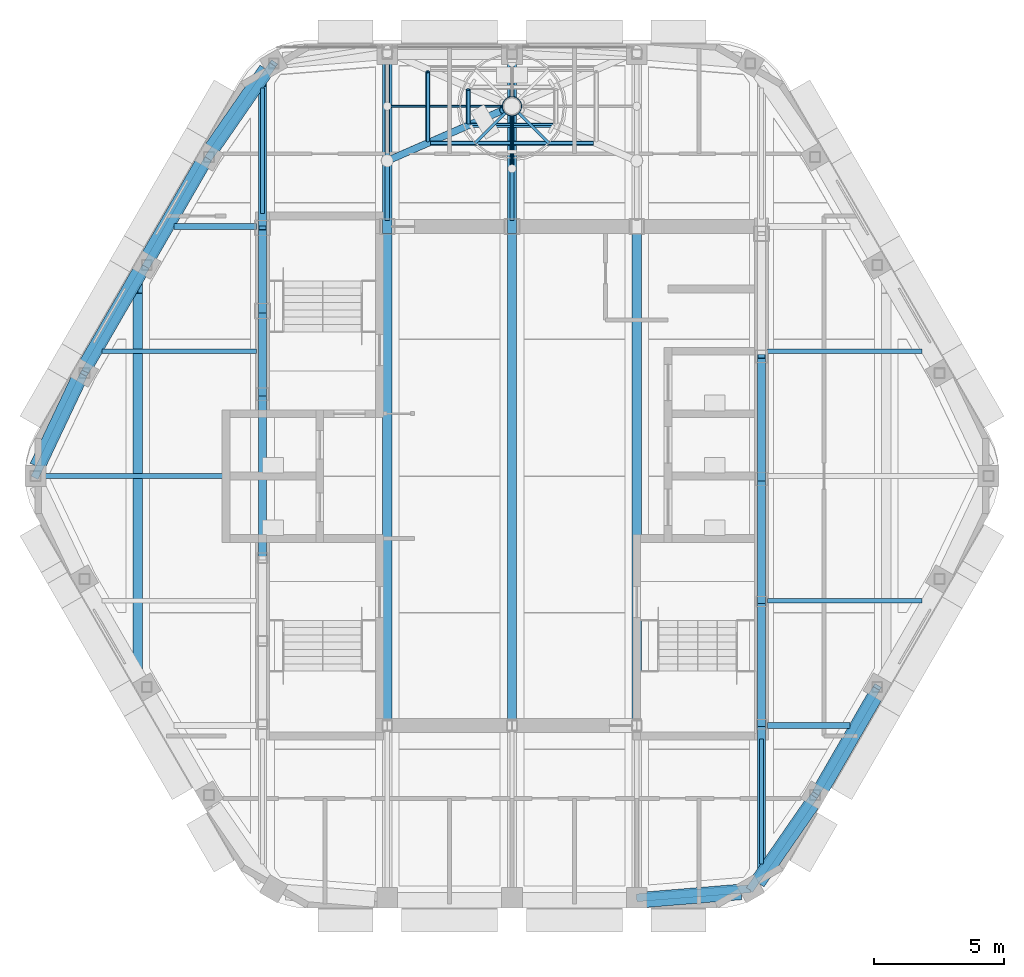
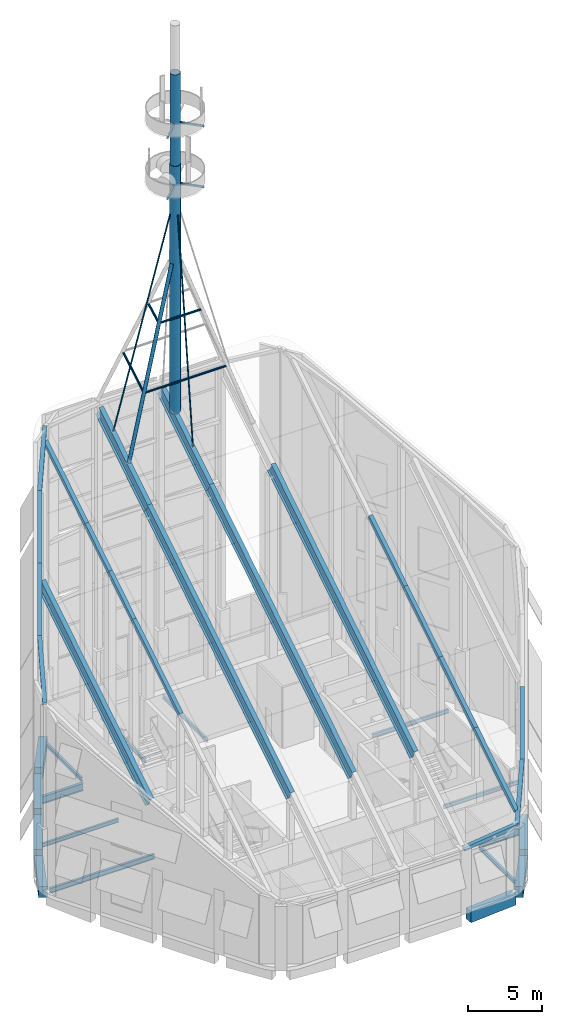
# One storey, part 2 of 25: 34 members, 17 beams.
"""IFC4 building model written with IfcOpenShell, lengths in metres."""

from ifc_helpers import new_model, si_unit, direction, frame, origin, origin_2d, place, context, subcontext, project, spatial, rectangle, hollow_rectangle, hollow_circle, i_section, extrude, material, material_profile, profile_set, type_object, element, save


model = new_model("IFC4")

# Units and contexts
model_context = context("Model", 3, precision=1e-05, world=origin(), true_north=direction((0.0, 1.0)))
body_context = subcontext(model_context, "Body", "Model", "MODEL_VIEW")
ifc_project = project(units=[si_unit("LENGTHUNIT", "METRE"), si_unit("AREAUNIT", "SQUARE_METRE"), si_unit("VOLUMEUNIT", "CUBIC_METRE"), si_unit("PLANEANGLEUNIT", "RADIAN"), si_unit("MASSUNIT", "GRAM", prefix="KILO")], contexts=[model_context])

# Site, building, storey
site_placement = place(None, origin())
site = spatial("IfcSite", under=ifc_project, at=site_placement, CompositionType="ELEMENT")
building_placement = place(site_placement, origin())
building = spatial("IfcBuilding", under=site, at=building_placement, Name="Kolab Exchange Tower", CompositionType="ELEMENT")
storey_placement = place(building_placement, frame((0.0, 0.0, 301.89990234375)))
storey = spatial("IfcBuildingStorey", under=building, at=storey_placement, Name="L68", CompositionType="ELEMENT", Elevation=301.89990234375)

# Members
ifc_material_1 = material(Name="Steel S355", Category="steel")
ifc_material_profile_1 = material_profile(ifc_material_1, hollow_circle(Radius=0.35546875, WallThickness=0.02490234375, at=origin_2d()), Name="PIPE711X25")
ifc_profile_set_1 = profile_set([ifc_material_profile_1], Name="Steel S355")
member_type_1 = type_object("IfcMemberType", Name="ANTENNA MAST PIPE 711 X 25", PredefinedType="USERDEFINED", material=ifc_profile_set_1)
member_1_placement = place(storey_placement, frame((0.0, 14.227783203125, 44.28076171875), z_axis=(0.0, 0.0, 1.0), x_axis=(1.0, 0.0, 0.0)))
element("IfcMember", 1, at=member_1_placement, inside=storey, type_object=member_type_1, Name="Antenna mast", ObjectType="ANTENNA MAST", PredefinedType="USERDEFINED", context=body_context, shape_type="SweptSolid", body=[
    extrude(hollow_circle(Radius=0.35546875, WallThickness=0.02490234375, at=origin_2d()), origin(), (0.0, 0.0, 1.0), 7.5),
])
ifc_material_profile_2 = material_profile(ifc_material_1, hollow_circle(Radius=0.381103515625, WallThickness=0.031982421875, at=origin_2d()), Name="PIPE762X32")
ifc_profile_set_2 = profile_set([ifc_material_profile_2], Name="Steel S355")
member_type_2 = type_object("IfcMemberType", Name="ANTENNA MAST PIPE 762 X 32", PredefinedType="USERDEFINED", material=ifc_profile_set_2)
member_2_placement = place(storey_placement, frame((0.0, 14.227783203125, 23.955810546875), z_axis=(0.0, 0.0, 1.0), x_axis=(1.0, 0.0, 0.0)))
element("IfcMember", 2, at=member_2_placement, inside=storey, type_object=member_type_2, Name="Antenna mast", ObjectType="ANTENNA MAST", PredefinedType="USERDEFINED", context=body_context, shape_type="SweptSolid", body=[
    extrude(hollow_circle(Radius=0.381103515625, WallThickness=0.031982421875, at=origin_2d()), origin(), (0.0, 0.0, 1.0), 20.324951171875),
])
ifc_material_profile_3 = material_profile(ifc_material_1, hollow_rectangle(XDim=0.300048828125, YDim=0.300048828125, WallThickness=0.01611328125, at=origin_2d()), Name="HSS300X300X16")
ifc_profile_set_3 = profile_set([ifc_material_profile_3], Name="Steel S355")
member_type_3 = type_object("IfcMemberType", Name="CROWN RAFTER HSS300X300X16", PredefinedType="RAFTER", material=ifc_profile_set_3)
member_3_placement = place(storey_placement, frame((-9.60009765625, -3.14990234375, 12.9501953125), z_axis=(0.0, 0.848035228337, 0.529939856493), x_axis=(-1.0, 0.0, 0.0)))
element("IfcMember", 3, at=member_3_placement, inside=storey, type_object=member_type_3, Name="mem/L68/crown/rafter-1-4", PredefinedType="RAFTER", context=body_context, shape_type="SweptSolid", body=[
    extrude(hollow_rectangle(XDim=0.300048828125, YDim=0.300048828125, WallThickness=0.01611328125, at=origin_2d()), origin(), (0.0, 0.0, 1.0), 7.4287109375),
])
member_4_placement = place(storey_placement, frame((-9.60009765625, 3.14990234375, 16.886962890625), z_axis=(0.0, 0.848070991234, 0.529882622689), x_axis=(-1.0, 0.0, 0.0)))
element("IfcMember", 4, at=member_4_placement, inside=storey, type_object=member_type_3, Name="mem/L68/crown/rafter-1-5", PredefinedType="RAFTER", context=body_context, shape_type="SweptSolid", body=[
    extrude(hollow_rectangle(XDim=0.300048828125, YDim=0.300048828125, WallThickness=0.01611328125, at=origin_2d()), origin(), (0.0, 0.0, 1.0), 3.7734375),
])
member_5_placement = place(storey_placement, frame((-9.60009765625, 6.35009765625, 18.886474609375), z_axis=(0.0, 0.848052823913, 0.529911698165), x_axis=(-1.0, 0.0, 0.0)))
element("IfcMember", 5, at=member_5_placement, inside=storey, type_object=member_type_3, Name="mem/L68/crown/rafter-1-6", PredefinedType="RAFTER", context=body_context, shape_type="SweptSolid", body=[
    extrude(hollow_rectangle(XDim=0.300048828125, YDim=0.300048828125, WallThickness=0.01611328125, at=origin_2d()), origin(), (0.0, 0.0, 1.0), 3.773193359375),
])
for number, where, z_axis, x_axis, name in (
    (6, (-9.60009765625, 9.550048828125, 20.885986328125), (0.0, 0.848042647464, 0.529927983864), (-1.0, 0.0, 0.0), "mem/L68/crown/rafter-1-7"),
    (7, (9.60009765625, -15.05810546875, 5.50927734375), (0.0, 0.848042647464, 0.529927983864), (-1.0, 0.0, 0.0), "mem/L68/crown/rafter-5-1"),
):
    element("IfcMember", number, at=place(storey_placement, frame(where, z_axis=z_axis, x_axis=x_axis)), inside=storey, type_object=member_type_3, Name=name, PredefinedType="RAFTER", context=body_context, shape_type="SweptSolid", body=[
        extrude(hollow_rectangle(XDim=0.300048828125, YDim=0.300048828125, WallThickness=0.01611328125, at=origin_2d()), origin(), (0.0, 0.0, 1.0), 6.4951171875),
    ])
for number, where, z_axis, x_axis, name in (
    (8, (9.60009765625, -9.550048828125, 8.951171875), (0.0, 0.848057458918, 0.529904280389), (-1.0, 0.0, 0.0), "mem/L68/crown/rafter-5-2"),
    (9, (9.60009765625, -4.831298828125, 11.899658203125), (0.0, 0.848037740871, 0.529935835794), (-1.0, 0.0, 0.0), "mem/L68/crown/rafter-5-3"),
    (10, (9.60009765625, -0.112548828125, 14.848388671875), (0.0, 0.848057458918, 0.529904280389), (-1.0, 0.0, 0.0), "mem/L68/crown/rafter-5-4"),
):
    element("IfcMember", number, at=place(storey_placement, frame(where, z_axis=z_axis, x_axis=x_axis)), inside=storey, type_object=member_type_3, Name=name, PredefinedType="RAFTER", context=body_context, shape_type="SweptSolid", body=[
        extrude(hollow_rectangle(XDim=0.300048828125, YDim=0.300048828125, WallThickness=0.01611328125, at=origin_2d()), origin(), (0.0, 0.0, 1.0), 5.564208984375),
    ])
ifc_material_profile_4 = material_profile(ifc_material_1, i_section(OverallWidth=0.35009765625, OverallDepth=1.0, WebThickness=0.02001953125, FlangeThickness=0.035888671875, at=origin_2d()), Name="PG1000X350")
ifc_profile_set_4 = profile_set([ifc_material_profile_4], Name="Steel S355")
member_type_4 = type_object("IfcMemberType", Name="CROWN RAFTER PG1000X350", PredefinedType="RAFTER", material=ifc_profile_set_4)
member_6_placement = place(storey_placement, frame((-14.39990234375, -7.293701171875, 9.947998046875), z_axis=(0.0, 0.84804135911, 0.529930045608), x_axis=(-1.0, 0.0, 0.0)))
element("IfcMember", 11, at=member_6_placement, inside=storey, type_object=member_type_4, Name="mem/L68/crown/rafter-0", PredefinedType="RAFTER", context=body_context, shape_type="SweptSolid", body=[
    extrude(i_section(OverallWidth=0.35009765625, OverallDepth=1.0, WebThickness=0.02001953125, FlangeThickness=0.035888671875, at=origin_2d()), origin(), (0.0, 0.0, 1.0), 17.201171875),
])
member_7_placement = place(storey_placement, frame((-4.800048828125, -9.60009765625, 8.507080078125), z_axis=(0.0, 0.84804918802, 0.529917516882), x_axis=(-1.0, 0.0, 0.0)))
element("IfcMember", 12, at=member_7_placement, inside=storey, type_object=member_type_4, Name="mem/L68/crown/rafter-2-2", PredefinedType="RAFTER", context=body_context, shape_type="SweptSolid", body=[
    extrude(i_section(OverallWidth=0.35009765625, OverallDepth=1.0, WebThickness=0.02001953125, FlangeThickness=0.035888671875, at=origin_2d()), origin(), (0.0, 0.0, 1.0), 22.640380859375),
])
member_8_placement = place(storey_placement, frame((-4.800048828125, 9.60009765625, 20.504638671875), z_axis=(0.0, 0.848037566543, 0.529936114764), x_axis=(-1.0, 0.0, 0.0)))
element("IfcMember", 13, at=member_8_placement, inside=storey, type_object=member_type_4, Name="mem/L68/crown/rafter-2-3", PredefinedType="RAFTER", context=body_context, shape_type="SweptSolid", body=[
    extrude(i_section(OverallWidth=0.35009765625, OverallDepth=1.0, WebThickness=0.02001953125, FlangeThickness=0.035888671875, at=origin_2d()), origin(), (0.0, 0.0, 1.0), 7.684814453125),
])
member_9_placement = place(storey_placement, frame((0.0, -9.60009765625, 8.507080078125), z_axis=(0.0, 0.84804918802, 0.529917516882), x_axis=(-1.0, 0.0, 0.0)))
element("IfcMember", 14, at=member_9_placement, inside=storey, type_object=member_type_4, Name="mem/L68/crown/rafter-3-2", PredefinedType="RAFTER", context=body_context, shape_type="SweptSolid", body=[
    extrude(i_section(OverallWidth=0.35009765625, OverallDepth=1.0, WebThickness=0.02001953125, FlangeThickness=0.035888671875, at=origin_2d()), origin(), (0.0, 0.0, 1.0), 22.640380859375),
])
member_10_placement = place(storey_placement, frame((0.0, 9.60009765625, 20.504638671875), z_axis=(0.0, 0.848041132606, 0.529930408081), x_axis=(-1.0, 0.0, 0.0)))
element("IfcMember", 15, at=member_10_placement, inside=storey, type_object=member_type_4, Name="mem/L68/crown/rafter-3-3", PredefinedType="RAFTER", context=body_context, shape_type="SweptSolid", body=[
    extrude(i_section(OverallWidth=0.35009765625, OverallDepth=1.0, WebThickness=0.02001953125, FlangeThickness=0.035888671875, at=origin_2d()), origin(), (0.0, 0.0, 1.0), 7.685546875),
])
member_11_placement = place(storey_placement, frame((4.800048828125, -9.60009765625, 8.507080078125), z_axis=(0.0, 0.84804918802, 0.529917516882), x_axis=(-1.0, 0.0, 0.0)))
element("IfcMember", 16, at=member_11_placement, inside=storey, type_object=member_type_4, Name="mem/L68/crown/rafter-4-2", PredefinedType="RAFTER", context=body_context, shape_type="SweptSolid", body=[
    extrude(i_section(OverallWidth=0.35009765625, OverallDepth=1.0, WebThickness=0.02001953125, FlangeThickness=0.035888671875, at=origin_2d()), origin(), (0.0, 0.0, 1.0), 22.640380859375),
])
ifc_material_profile_5 = material_profile(ifc_material_1, hollow_rectangle(XDim=0.300048828125, YDim=0.300048828125, WallThickness=0.01611328125, at=origin_2d()), Name="HSS300X300X16")
ifc_profile_set_5 = profile_set([ifc_material_profile_5], Name="Steel S355")
member_type_5 = type_object("IfcMemberType", Name="CROWN RING HSS300X300X16", PredefinedType="CHORD", material=ifc_profile_set_5)
member_12_placement = place(storey_placement, frame((14.0537109375, -8.11376953125, 9.875244140625), z_axis=(-0.439763172154, -0.761656752341, -0.475906864871), x_axis=(0.866015339567, -0.500017431331, 0.0)))
element("IfcMember", 17, at=member_12_placement, inside=storey, type_object=member_type_5, Name="mem/L68/crown/ring-F3-03", PredefinedType="CHORD", context=body_context, shape_type="SweptSolid", body=[
    extrude(hollow_rectangle(XDim=0.300048828125, YDim=0.300048828125, WallThickness=0.01611328125, at=origin_2d()), origin(), (0.0, 0.0, 1.0), 5.457763671875),
])
member_13_placement = place(storey_placement, frame((11.653564453125, -12.270751953125, 7.27783203125), z_axis=(-0.504384324432, -0.732276269465, -0.457567392245), x_axis=(0.823545775966, -0.567249817002, 0.0)))
element("IfcMember", 18, at=member_13_placement, inside=storey, type_object=member_type_5, Name="mem/L68/crown/ring-F3-04", PredefinedType="CHORD", context=body_context, shape_type="SweptSolid", body=[
    extrude(hollow_rectangle(XDim=0.300048828125, YDim=0.300048828125, WallThickness=0.01611328125, at=origin_2d()), origin(), (0.0, 0.0, 1.0), 4.927978515625),
])
member_14_placement = place(storey_placement, frame((9.16796875, -15.87939453125, 5.02294921875), z_axis=(-0.995605365729, -0.079410254144, -0.049638364889), x_axis=(0.079508267441, -0.99683420658, 0.0)))
element("IfcMember", 19, at=member_14_placement, inside=storey, type_object=member_type_5, Name="mem/L68/crown/ring-F4-01", PredefinedType="CHORD", context=body_context, shape_type="SweptSolid", body=[
    extrude(hollow_rectangle(XDim=0.300048828125, YDim=0.300048828125, WallThickness=0.01611328125, at=origin_2d()), origin(), (0.0, 0.0, 1.0), 4.38720703125),
])
member_15_placement = place(storey_placement, frame((-18.3359375, 0.0, 14.9453125), z_axis=(0.374127579536, 0.786444316672, 0.491460976075), x_axis=(-0.903025238378, 0.429587498482, 0.0)))
element("IfcMember", 20, at=member_15_placement, inside=storey, type_object=member_type_5, Name="mem/L68/crown/ring-F6-01", PredefinedType="CHORD", context=body_context, shape_type="SweptSolid", body=[
    extrude(hollow_rectangle(XDim=0.300048828125, YDim=0.300048828125, WallThickness=0.01611328125, at=origin_2d()), origin(), (0.0, 0.0, 1.0), 5.03125),
])
member_16_placement = place(storey_placement, frame((-16.45361328125, 3.956787109375, 17.41796875), z_axis=(0.439727089648, 0.761671735039, 0.475916226527), x_axis=(-0.866037363387, 0.499979284789, 0.0)))
element("IfcMember", 21, at=member_16_placement, inside=storey, type_object=member_type_5, Name="mem/L68/crown/ring-F6-02", PredefinedType="CHORD", context=body_context, shape_type="SweptSolid", body=[
    extrude(hollow_rectangle(XDim=0.300048828125, YDim=0.300048828125, WallThickness=0.01611328125, at=origin_2d()), origin(), (0.0, 0.0, 1.0), 5.457763671875),
])
member_17_placement = place(storey_placement, frame((-14.0537109375, 8.11376953125, 20.015380859375), z_axis=(0.439753810156, 0.761640537639, 0.475941464761), x_axis=(-0.866015339567, 0.500017431331, 0.0)))
element("IfcMember", 22, at=member_17_placement, inside=storey, type_object=member_type_5, Name="mem/L68/crown/ring-F6-03", PredefinedType="CHORD", context=body_context, shape_type="SweptSolid", body=[
    extrude(hollow_rectangle(XDim=0.300048828125, YDim=0.300048828125, WallThickness=0.01611328125, at=origin_2d()), origin(), (0.0, 0.0, 1.0), 5.4580078125),
])
member_18_placement = place(storey_placement, frame((-11.653564453125, 12.270751953125, 22.613037109375), z_axis=(0.504384324432, 0.732276269465, 0.457567392245), x_axis=(-0.823545775966, 0.567249817002, 0.0)))
element("IfcMember", 23, at=member_18_placement, inside=storey, type_object=member_type_5, Name="mem/L68/crown/ring-F6-04", PredefinedType="CHORD", context=body_context, shape_type="SweptSolid", body=[
    extrude(hollow_rectangle(XDim=0.300048828125, YDim=0.300048828125, WallThickness=0.01611328125, at=origin_2d()), origin(), (0.0, 0.0, 1.0), 4.927978515625),
])

# Beams
ifc_material_profile_6 = material_profile(ifc_material_1, i_section(OverallWidth=0.1650390625, OverallDepth=0.31005859375, WebThickness=0.005859375, FlangeThickness=0.009765625, at=origin_2d()), Name="W310X39")
ifc_profile_set_6 = profile_set([ifc_material_profile_6], Name="Steel S355")
beam_type_1 = type_object("IfcBeamType", Name="FLOOR BEAM W310X39", PredefinedType="BEAM", material=ifc_profile_set_6)
beam_1_placement = place(storey_placement, frame((-15.77587890625, 4.800048828125, -0.454833984375), z_axis=(1.0, 0.0, 0.0), x_axis=(0.0, 1.0, 0.0)))
element("IfcBeam", 24, at=beam_1_placement, inside=storey, type_object=beam_type_1, Name="beam/L68/fr/002", PredefinedType="BEAM", context=body_context, shape_type="SweptSolid", body=[
    extrude(i_section(OverallWidth=0.1650390625, OverallDepth=0.31005859375, WebThickness=0.005859375, FlangeThickness=0.009765625, at=origin_2d()), origin(), (0.0, 0.0, 1.0), 5.94091796875),
])
beam_2_placement = place(storey_placement, frame((-9.60009765625, 10.110107421875, -0.454833984375), z_axis=(0.0, 1.0, 0.0), x_axis=(-1.0, 0.0, 0.0)))
element("IfcBeam", 25, at=beam_2_placement, inside=storey, type_object=beam_type_1, Name="beam/L68/fr/004", PredefinedType="BEAM", context=body_context, shape_type="SweptSolid", body=[
    extrude(i_section(OverallWidth=0.1650390625, OverallDepth=0.31005859375, WebThickness=0.005859375, FlangeThickness=0.009765625, at=origin_2d()), origin(), (0.0, 0.0, 1.0), 4.81640625),
])
for number, where, z_axis, x_axis, name in (
    (26, (-4.800048828125, 9.8349609375, -0.454833984375), (0.0, 1.0, 0.0), (-1.0, 0.0, 0.0), "beam/L68/fr/006"),
    (27, (0.0, 9.8349609375, -0.454833984375), (0.0, 1.0, 0.0), (-1.0, 0.0, 0.0), "beam/L68/fr/008"),
):
    element("IfcBeam", number, at=place(storey_placement, frame(where, z_axis=z_axis, x_axis=x_axis)), inside=storey, type_object=beam_type_1, Name=name, PredefinedType="BEAM", context=body_context, shape_type="SweptSolid", body=[
        extrude(i_section(OverallWidth=0.1650390625, OverallDepth=0.31005859375, WebThickness=0.005859375, FlangeThickness=0.009765625, at=origin_2d()), origin(), (0.0, 0.0, 1.0), 6.03271484375),
    ])
beam_3_placement = place(storey_placement, frame((9.60009765625, -14.926513671875, -0.454833984375), z_axis=(0.0, 1.0, 0.0), x_axis=(-1.0, 0.0, 0.0)))
element("IfcBeam", 28, at=beam_3_placement, inside=storey, type_object=beam_type_1, Name="beam/L68/fr/011", PredefinedType="BEAM", context=body_context, shape_type="SweptSolid", body=[
    extrude(i_section(OverallWidth=0.1650390625, OverallDepth=0.31005859375, WebThickness=0.005859375, FlangeThickness=0.009765625, at=origin_2d()), origin(), (0.0, 0.0, 1.0), 4.81640625),
])
for number, where, z_axis, x_axis, name in (
    (29, (9.8349609375, -4.800048828125, -0.454833984375), (1.0, 0.0, 0.0), (0.0, 1.0, 0.0), "beam/L68/fr/013"),
    (30, (9.8349609375, 4.800048828125, -0.454833984375), (1.0, 0.0, 0.0), (0.0, 1.0, 0.0), "beam/L68/fr/015"),
):
    element("IfcBeam", number, at=place(storey_placement, frame(where, z_axis=z_axis, x_axis=x_axis)), inside=storey, type_object=beam_type_1, Name=name, PredefinedType="BEAM", context=body_context, shape_type="SweptSolid", body=[
        extrude(i_section(OverallWidth=0.1650390625, OverallDepth=0.31005859375, WebThickness=0.005859375, FlangeThickness=0.009765625, at=origin_2d()), origin(), (0.0, 0.0, 1.0), 5.94091796875),
    ])
ifc_material_profile_7 = material_profile(ifc_material_1, i_section(OverallWidth=0.177978515625, OverallDepth=0.406982421875, WebThickness=0.0078125, FlangeThickness=0.0126953125, at=origin_2d()), Name="W410X60")
ifc_profile_set_7 = profile_set([ifc_material_profile_7], Name="Steel S355")
beam_type_2 = type_object("IfcBeamType", Name="FLOOR BEAM W410X60", PredefinedType="BEAM", material=ifc_profile_set_7)
beam_4_placement = place(storey_placement, frame((-17.975830078125, 0.0, -0.50341796875), z_axis=(1.0, 0.0, 0.0), x_axis=(0.0, 1.0, 0.0)))
element("IfcBeam", 31, at=beam_4_placement, inside=storey, type_object=beam_type_2, Name="beam/L68/fr/000", PredefinedType="BEAM", context=body_context, shape_type="SweptSolid", body=[
    extrude(i_section(OverallWidth=0.177978515625, OverallDepth=0.406982421875, WebThickness=0.0078125, FlangeThickness=0.0126953125, at=origin_2d()), origin(), (0.0, 0.0, 1.0), 8.140869140625),
])
ifc_material_profile_8 = material_profile(ifc_material_1, i_section(OverallWidth=0.22802734375, OverallDepth=0.60791015625, WebThickness=0.01123046875, FlangeThickness=0.017333984375, at=origin_2d()), Name="W610X113")
ifc_profile_set_8 = profile_set([ifc_material_profile_8], Name="Steel S355")
beam_type_3 = type_object("IfcBeamType", Name="FLOOR GIRDER W610X113", PredefinedType="BEAM", material=ifc_profile_set_8)
for number, where, z_axis, x_axis, name in (
    (32, (-13.004638671875, 9.60009765625, -0.60400390625), (1.0, 0.0, 0.0), (0.0, 1.0, 0.0), "beam/L68/gd/001"),
    (33, (9.8349609375, -9.60009765625, -0.60400390625), (1.0, 0.0, 0.0), (0.0, 1.0, 0.0), "beam/L68/gd/002"),
):
    element("IfcBeam", number, at=place(storey_placement, frame(where, z_axis=z_axis, x_axis=x_axis)), inside=storey, type_object=beam_type_3, Name=name, PredefinedType="BEAM", context=body_context, shape_type="SweptSolid", body=[
        extrude(i_section(OverallWidth=0.22802734375, OverallDepth=0.60791015625, WebThickness=0.01123046875, FlangeThickness=0.017333984375, at=origin_2d()), origin(), (0.0, 0.0, 1.0), 3.169677734375),
    ])

# Members
ifc_material_profile_9 = material_profile(ifc_material_1, hollow_circle(Radius=0.083984375, WallThickness=0.010009765625, at=origin_2d()), Name="CHS 168X10")
ifc_profile_set_9 = profile_set([ifc_material_profile_9], Name="Steel S355")
member_type_6 = type_object("IfcMemberType", Name="MAST BRACING CHS 168 X 10", PredefinedType="STRUT", material=ifc_profile_set_9)
member_19_placement = place(storey_placement, frame((-3.135986328125, 12.80908203125, 27.41650390625), z_axis=(1.0, 0.0, 0.0), x_axis=(0.0, 1.0, 0.0)))
element("IfcMember", 34, at=member_19_placement, inside=storey, type_object=member_type_6, Name="Mast quadripod bracing", PredefinedType="STRUT", context=body_context, shape_type="SweptSolid", body=[
    extrude(hollow_circle(Radius=0.083984375, WallThickness=0.010009765625, at=origin_2d()), origin(), (0.0, 0.0, 1.0), 6.27197265625),
])
member_20_placement = place(storey_placement, frame((-3.2421875, 12.900390625, 27.47119140625), z_axis=(0.0, 0.856950069904, 0.51539943509), x_axis=(-1.0, 0.0, 0.0)))
element("IfcMember", 35, at=member_20_placement, inside=storey, type_object=member_type_6, Name="Mast quadripod bracing", PredefinedType="STRUT", context=body_context, shape_type="SweptSolid", body=[
    extrude(hollow_circle(Radius=0.083984375, WallThickness=0.010009765625, at=origin_2d()), origin(), (0.0, 0.0, 1.0), 3.097900390625),
])
member_21_placement = place(storey_placement, frame((-1.578125, 13.49072265625, 32.189697265625), z_axis=(1.0, 0.0, 0.0), x_axis=(0.0, 1.0, 0.0)))
element("IfcMember", 36, at=member_21_placement, inside=storey, type_object=member_type_6, Name="Mast quadripod bracing", PredefinedType="STRUT", context=body_context, shape_type="SweptSolid", body=[
    extrude(hollow_circle(Radius=0.083984375, WallThickness=0.010009765625, at=origin_2d()), origin(), (0.0, 0.0, 1.0), 3.15625),
])
member_22_placement = place(storey_placement, frame((-1.684326171875, 13.58447265625, 32.239501953125), z_axis=(0.0, 0.881944865518, 0.471352579484), x_axis=(-1.0, 0.0, 0.0)))
element("IfcMember", 37, at=member_22_placement, inside=storey, type_object=member_type_6, Name="Mast quadripod bracing", PredefinedType="STRUT", context=body_context, shape_type="SweptSolid", body=[
    extrude(hollow_circle(Radius=0.083984375, WallThickness=0.010009765625, at=origin_2d()), origin(), (0.0, 0.0, 1.0), 1.45849609375),
])
ifc_material_profile_10 = material_profile(ifc_material_1, hollow_circle(Radius=0.136474609375, WallThickness=0.01611328125, at=origin_2d()), Name="CHS 273X16")
ifc_profile_set_10 = profile_set([ifc_material_profile_10], Name="Steel S355")
member_type_7 = type_object("IfcMemberType", Name="MAST LEG CHS 273 X 16", PredefinedType="BRACE", material=ifc_profile_set_10)
member_23_placement = place(storey_placement, frame((-4.800048828125, 12.127685546875, 22.643798828125), z_axis=(0.307458604472, 0.134512085419, 0.942006213043), x_axis=(-0.400816197806, 0.916158488241, 0.0)))
element("IfcMember", 38, at=member_23_placement, inside=storey, type_object=member_type_7, Name="Mast quadripod leg", PredefinedType="BRACE", context=body_context, shape_type="SweptSolid", body=[
    extrude(hollow_circle(Radius=0.136474609375, WallThickness=0.01611328125, at=origin_2d()), origin(), (0.0, 0.0, 1.0), 14.4765625),
])
ifc_material_profile_11 = material_profile(ifc_material_1, hollow_rectangle(XDim=0.10009765625, YDim=0.14990234375, WallThickness=0.008056640625, at=origin_2d()), Name="RHS150X100X8")
ifc_profile_set_11 = profile_set([ifc_material_profile_11], Name="Steel S355")
member_type_8 = type_object("IfcMemberType", Name="MAST PLATFORM ARM RHS 150 X 100 X 8", PredefinedType="MEMBER", material=ifc_profile_set_11)
for number, where, z_axis, x_axis, name in (
    (39, (-0.267333984375, 13.96044921875, 42.706298828125), (-0.707106781187, -0.707106781187, 0.0), (0.707106781187, -0.707106781187, 0.0), "Mast platform arm"),
    (40, (0.267333984375, 13.96044921875, 42.706298828125), (0.707106781187, -0.707106781187, 0.0), (0.707106781187, 0.707106781187, 0.0), "Mast platform arm"),
):
    element("IfcMember", number, at=place(storey_placement, frame(where, z_axis=z_axis, x_axis=x_axis)), inside=storey, type_object=member_type_8, Name=name, PredefinedType="MEMBER", context=body_context, shape_type="SweptSolid", body=[
        extrude(hollow_rectangle(XDim=0.10009765625, YDim=0.14990234375, WallThickness=0.008056640625, at=origin_2d()), origin(), (0.0, 0.0, 1.0), 1.6220703125),
    ])
for number, where, z_axis, x_axis, name in (
    (41, (-0.249267578125, 13.978515625, 47.706298828125), (-0.707106781187, -0.707106781187, 0.0), (0.707106781187, -0.707106781187, 0.0), "Mast platform arm"),
    (42, (0.249267578125, 13.978515625, 47.706298828125), (0.707106781187, -0.707106781187, 0.0), (0.707106781187, 0.707106781187, 0.0), "Mast platform arm"),
):
    element("IfcMember", number, at=place(storey_placement, frame(where, z_axis=z_axis, x_axis=x_axis)), inside=storey, type_object=member_type_8, Name=name, PredefinedType="MEMBER", context=body_context, shape_type="SweptSolid", body=[
        extrude(hollow_rectangle(XDim=0.10009765625, YDim=0.14990234375, WallThickness=0.008056640625, at=origin_2d()), origin(), (0.0, 0.0, 1.0), 1.647705078125),
    ])
ifc_material_profile_12 = material_profile(ifc_material_1, hollow_circle(Radius=0.056884765625, WallThickness=0.006103515625, at=origin_2d()), Name="CHS 114X6")
ifc_profile_set_12 = profile_set([ifc_material_profile_12], Name="Steel S355")
member_type_9 = type_object("IfcMemberType", Name="MAST STAY CHS 114 X 6", PredefinedType="BRACE", material=ifc_profile_set_12)
member_24_placement = place(storey_placement, frame((-4.800048828125, 14.227783203125, 23.955810546875), z_axis=(0.261404548725, 0.0, 0.96522933125), x_axis=(0.0, 1.0, 0.0)))
element("IfcMember", 43, at=member_24_placement, inside=storey, type_object=member_type_9, Name="Antenna mast stay", PredefinedType="BRACE", context=body_context, shape_type="SweptSolid", body=[
    extrude(hollow_circle(Radius=0.056884765625, WallThickness=0.006103515625, at=origin_2d()), origin(), (0.0, 0.0, 1.0), 16.9130859375),
])
member_25_placement = place(storey_placement, frame((0.0, 11.82763671875, 22.456298828125), z_axis=(0.0, 0.112661419561, 0.993633435701), x_axis=(-1.0, 0.0, 0.0)))
element("IfcMember", 44, at=member_25_placement, inside=storey, type_object=member_type_9, Name="Antenna mast stay", PredefinedType="BRACE", context=body_context, shape_type="SweptSolid", body=[
    extrude(hollow_circle(Radius=0.056884765625, WallThickness=0.006103515625, at=origin_2d()), origin(), (0.0, 0.0, 1.0), 17.938720703125),
])

# Beams
ifc_material_2 = material(Name="Concrete C50/60", Category="concrete")
ifc_material_profile_13 = material_profile(ifc_material_2, rectangle(XDim=0.60009765625, YDim=0.89990234375, at=origin_2d()), Name="RC600X900")
ifc_profile_set_13 = profile_set([ifc_material_profile_13], Name="Concrete C50/60")
beam_type_4 = type_object("IfcBeamType", Name="SPANDREL BEAM 600X900 C50/60", PredefinedType="BEAM", material=ifc_profile_set_13)
beam_5_placement = place(storey_placement, frame((13.960205078125, -8.4755859375, -0.75), z_axis=(-0.500000428765, -0.866025156237, 0.0), x_axis=(0.866025156237, -0.500000428765, 0.0)))
element("IfcBeam", 45, at=beam_5_placement, inside=storey, type_object=beam_type_4, Name="beam/L68/sp/F3-03", PredefinedType="BEAM", context=body_context, shape_type="SweptSolid", body=[
    extrude(rectangle(XDim=0.60009765625, YDim=0.89990234375, at=origin_2d()), origin(), (0.0, 0.0, 1.0), 4.080078125),
])
for number, where, z_axis, x_axis, name in (
    (46, (11.53466796875, -12.617919921875, -0.75), (-0.569005808573, -0.822333502789, 0.0), (0.822333502789, -0.569005808573, 0.0), "beam/L68/sp/F3-04"),
    (47, (8.81689453125, -15.998779296875, -0.75), (-0.996666751878, -0.081580547323, 0.0), (0.081580547323, -0.996666751878, 0.0), "beam/L68/sp/F4-01"),
):
    element("IfcBeam", number, at=place(storey_placement, frame(where, z_axis=z_axis, x_axis=x_axis)), inside=storey, type_object=beam_type_4, Name=name, PredefinedType="BEAM", context=body_context, shape_type="SweptSolid", body=[
        extrude(rectangle(XDim=0.60009765625, YDim=0.89990234375, at=origin_2d()), origin(), (0.0, 0.0, 1.0), 3.6689453125),
    ])
beam_6_placement = place(storey_placement, frame((-18.263671875, 0.36376953125, -0.75), z_axis=(0.427622877227, 0.903957230665, 0.0), x_axis=(-0.903957230665, 0.427622877227, 0.0)))
element("IfcBeam", 48, at=beam_6_placement, inside=storey, type_object=beam_type_4, Name="beam/L68/sp/F6-01", PredefinedType="BEAM", context=body_context, shape_type="SweptSolid", body=[
    extrude(rectangle(XDim=0.60009765625, YDim=0.89990234375, at=origin_2d()), origin(), (0.0, 0.0, 1.0), 3.668701171875),
])
beam_7_placement = place(storey_placement, frame((-16.360107421875, 4.318603515625, -0.75), z_axis=(0.499955548806, 0.866051066172, 0.0), x_axis=(-0.866051066172, 0.499955548806, 0.0)))
element("IfcBeam", 49, at=beam_7_placement, inside=storey, type_object=beam_type_4, Name="beam/L68/sp/F6-02", PredefinedType="BEAM", context=body_context, shape_type="SweptSolid", body=[
    extrude(rectangle(XDim=0.60009765625, YDim=0.89990234375, at=origin_2d()), origin(), (0.0, 0.0, 1.0), 4.079833984375),
])
beam_8_placement = place(storey_placement, frame((-13.960205078125, 8.4755859375, -0.75), z_axis=(0.500000428765, 0.866025156237, 0.0), x_axis=(-0.866025156237, 0.500000428765, 0.0)))
element("IfcBeam", 50, at=beam_8_placement, inside=storey, type_object=beam_type_4, Name="beam/L68/sp/F6-03", PredefinedType="BEAM", context=body_context, shape_type="SweptSolid", body=[
    extrude(rectangle(XDim=0.60009765625, YDim=0.89990234375, at=origin_2d()), origin(), (0.0, 0.0, 1.0), 4.080078125),
])
beam_9_placement = place(storey_placement, frame((-11.53466796875, 12.617919921875, -0.75), z_axis=(0.569005808573, 0.822333502789, 0.0), x_axis=(-0.822333502789, 0.569005808573, 0.0)))
element("IfcBeam", 51, at=beam_9_placement, inside=storey, type_object=beam_type_4, Name="beam/L68/sp/F6-04", PredefinedType="BEAM", context=body_context, shape_type="SweptSolid", body=[
    extrude(rectangle(XDim=0.60009765625, YDim=0.89990234375, at=origin_2d()), origin(), (0.0, 0.0, 1.0), 3.6689453125),
])

save(model, "model.ifc")
